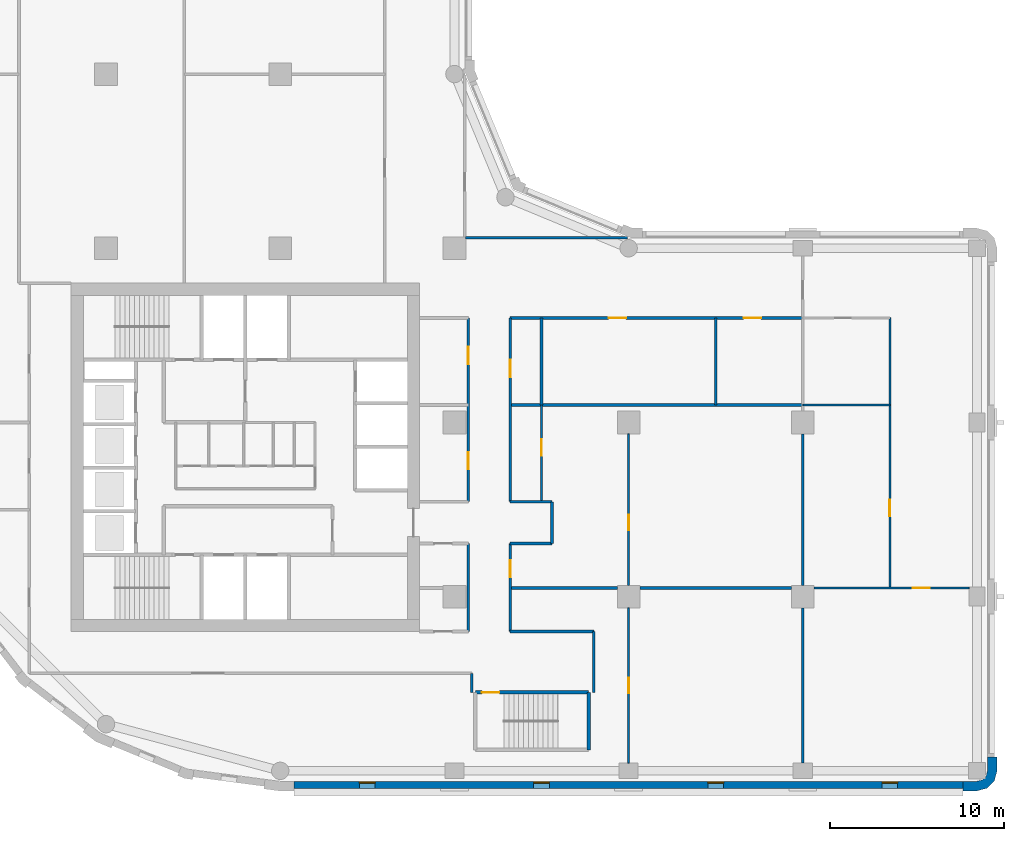
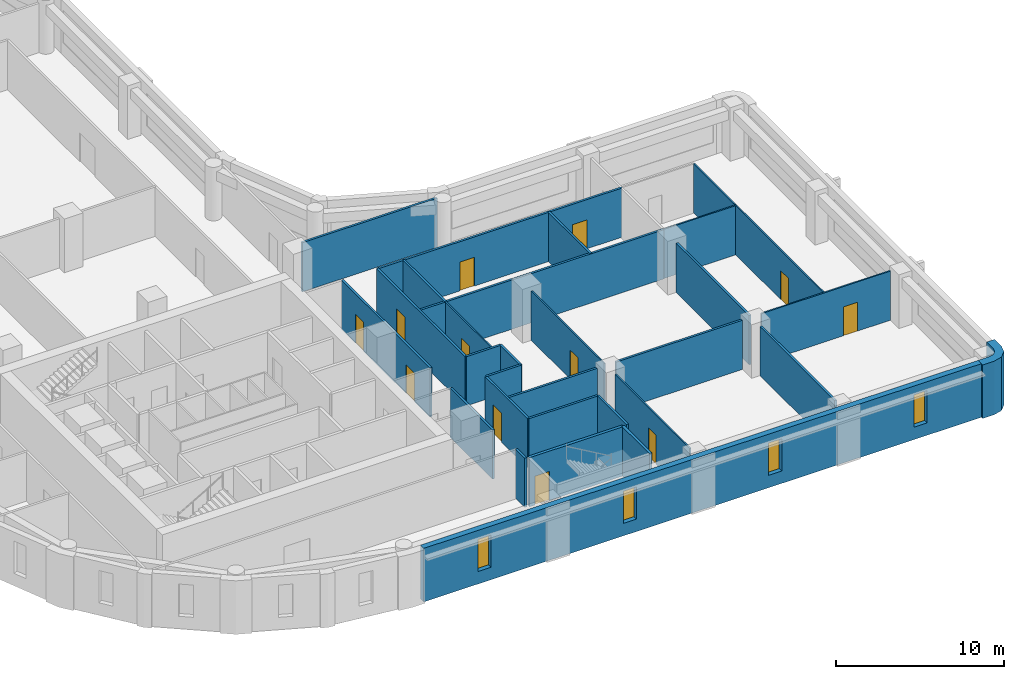
# One storey, part 4 of 10: 29 walls, 12 doors, 4 windows, 16 openings.
"""IFC4 building model written with IfcOpenShell, lengths in metres."""

from ifc_helpers import new_model, si_unit, direction, frame, frame_2d, origin, place, context, subcontext, project, spatial, polyline, rectangle, outline, extrude, material, layer, layer_set, type_object, element, fill, save


model = new_model("IFC4")

# Units and contexts
model_context = context("Model", 3, precision=1e-05, world=origin(), true_north=direction((0.0, 1.0)))
body_context = subcontext(model_context, "Body", "Model", "MODEL_VIEW")
ifc_project = project(units=[si_unit("LENGTHUNIT", "METRE"), si_unit("AREAUNIT", "SQUARE_METRE"), si_unit("VOLUMEUNIT", "CUBIC_METRE"), si_unit("PLANEANGLEUNIT", "RADIAN"), si_unit("MASSUNIT", "GRAM", prefix="KILO")], contexts=[model_context])

# Site, building, storey
site_placement = place(None, origin())
site = spatial("IfcSite", under=ifc_project, at=site_placement, CompositionType="ELEMENT")
building_placement = place(site_placement, origin())
building = spatial("IfcBuilding", under=site, at=building_placement, Name="Qaws Garden Tower", CompositionType="ELEMENT")
storey_placement = place(building_placement, frame((0.0, 0.0, 182.39990234375)))
storey = spatial("IfcBuildingStorey", under=building, at=storey_placement, Name="L44", CompositionType="ELEMENT", Elevation=182.39990234375)

# Wall
ifc_material_1 = material(Name="Clay facing brick masonry", Category="masonry")
ifc_layer_1 = layer(ifc_material_1, 0.550048828125)
ifc_layer_set_1 = layer_set([ifc_layer_1], Name="Clay facing brick masonry")
wall_type_1 = type_object("IfcWallType", Name="Brick corner pier 550 x 2400", PredefinedType="SOLIDWALL", material=ifc_layer_set_1)
wall_1_placement = place(storey_placement, origin())
element("IfcWall", 1, at=wall_1_placement, inside=storey, type_object=wall_type_1, Name="E-L44-pier-04", PredefinedType="SOLIDWALL", context=body_context, shape_type="SweptSolid", body=[
    extrude(outline(polyline([(59.199951171875, -1.0), (59.199951171875, -1.14990234375), (60.0, -1.14990234375), (60.574951171875, -0.995849609375), (60.995849609375, -0.574951171875), (61.14990234375, 0.0), (61.14990234375, 0.800048828125), (61.0, 0.800048828125), (60.60009765625, 0.800048828125), (60.60009765625, 0.0), (60.51953125, -0.300048828125), (60.300048828125, -0.51953125), (60.0, -0.60009765625), (59.199951171875, -0.60009765625), (59.199951171875, -1.0)])), origin(), (0.0, 0.0, 1.0), 3.900146484375),
])

# Wall, openings, windows
ifc_material_2 = material(Name="Clay facing brick masonry", Category="masonry")
ifc_layer_2 = layer(ifc_material_2, 0.39990234375)
ifc_layer_set_2 = layer_set([ifc_layer_2], Name="Clay facing brick masonry")
wall_type_2 = type_object("IfcWallType", Name="Brick infill wall 400", PredefinedType="SOLIDWALL", material=ifc_layer_set_2)
wall_2_placement = place(storey_placement, frame((20.800048828125, -0.800048828125, 0.0), z_axis=(0.0, 0.0, 1.0), x_axis=(1.0, 0.0, 0.0)))
wall_2 = element("IfcWall", 2, at=wall_2_placement, inside=storey, type_object=wall_type_2, Name="E-L44-infill-00", PredefinedType="SOLIDWALL", context=body_context, shape_type="SweptSolid", body=[
    extrude(rectangle(XDim=38.39990234375, YDim=0.39990234375, at=frame_2d((19.199951171875, 0.0))), origin(), (0.0, 0.0, 1.0), 3.900146484375),
])
opening_1_placement = place(wall_2_placement, frame((3.75, 0.0, 0.89990234375)))
opening_1 = element("IfcOpeningElement", 3, at=opening_1_placement, cuts=wall_2, Name="Opening W09", PredefinedType="OPENING", context=body_context, shape_type="SweptSolid", body=[
    extrude(rectangle(XDim=0.89990234375, YDim=2.35009765625, at=frame_2d((0.449951171875, 1.175048828125))), frame((0.0, 0.2099609375, 0.0), z_axis=(0.0, -1.0, 0.0), x_axis=(1.0, 0.0, 0.0)), (0.0, 0.0, 1.0), 0.419921875),
])
opening_2_placement = place(wall_2_placement, frame((13.75, 0.0, 0.89990234375)))
opening_2 = element("IfcOpeningElement", 4, at=opening_2_placement, cuts=wall_2, Name="Opening W09", PredefinedType="OPENING", context=body_context, shape_type="SweptSolid", body=[
    extrude(rectangle(XDim=0.89990234375, YDim=2.35009765625, at=frame_2d((0.449951171875, 1.175048828125))), frame((0.0, 0.2099609375, 0.0), z_axis=(0.0, -1.0, 0.0), x_axis=(1.0, 0.0, 0.0)), (0.0, 0.0, 1.0), 0.419921875),
])
opening_3_placement = place(wall_2_placement, frame((23.75, 0.0, 0.89990234375)))
opening_3 = element("IfcOpeningElement", 5, at=opening_3_placement, cuts=wall_2, Name="Opening W09", PredefinedType="OPENING", context=body_context, shape_type="SweptSolid", body=[
    extrude(rectangle(XDim=0.89990234375, YDim=2.35009765625, at=frame_2d((0.449951171875, 1.175048828125))), frame((0.0, 0.2099609375, 0.0), z_axis=(0.0, -1.0, 0.0), x_axis=(1.0, 0.0, 0.0)), (0.0, 0.0, 1.0), 0.419921875),
])
opening_4_placement = place(wall_2_placement, frame((33.75, 0.0, 0.89990234375)))
opening_4 = element("IfcOpeningElement", 6, at=opening_4_placement, cuts=wall_2, Name="Opening W09", PredefinedType="OPENING", context=body_context, shape_type="SweptSolid", body=[
    extrude(rectangle(XDim=0.89990234375, YDim=2.35009765625, at=frame_2d((0.449951171875, 1.175048828125))), frame((0.0, 0.2099609375, 0.0), z_axis=(0.0, -1.0, 0.0), x_axis=(1.0, 0.0, 0.0)), (0.0, 0.0, 1.0), 0.419921875),
])
ifc_material_3 = material(Name="Aluminium framed window, clear glazing", Category="aluminium")
window_type = type_object("IfcWindowType", Name="Slit window 900 x 2350", PartitioningType="SINGLE_PANEL", PredefinedType="WINDOW", material=ifc_material_3)
window_1_placement = place(opening_1_placement, origin())
window_1 = element("IfcWindow", 7, at=window_1_placement, inside=storey, type_object=window_type, Name="E-L44-window-00-0", OverallHeight=2.35009765625, OverallWidth=0.89990234375, PartitioningType="SINGLE_PANEL", PredefinedType="WINDOW", context=body_context, shape_type="SweptSolid", body=[
    extrude(rectangle(XDim=0.89990234375, YDim=2.35009765625, at=frame_2d((0.449951171875, 1.175048828125))), frame((0.0, 0.159912109375, 0.0), z_axis=(0.0, -1.0, 0.0), x_axis=(1.0, 0.0, 0.0)), (0.0, 0.0, 1.0), 0.06005859375),
])
fill(opening_1, window_1)
window_2_placement = place(opening_2_placement, origin())
window_2 = element("IfcWindow", 8, at=window_2_placement, inside=storey, type_object=window_type, Name="E-L44-window-01-0", OverallHeight=2.35009765625, OverallWidth=0.89990234375, PartitioningType="SINGLE_PANEL", PredefinedType="WINDOW", context=body_context, shape_type="SweptSolid", body=[
    extrude(rectangle(XDim=0.89990234375, YDim=2.35009765625, at=frame_2d((0.449951171875, 1.175048828125))), frame((0.0, 0.159912109375, 0.0), z_axis=(0.0, -1.0, 0.0), x_axis=(1.0, 0.0, 0.0)), (0.0, 0.0, 1.0), 0.06005859375),
])
fill(opening_2, window_2)
window_3_placement = place(opening_3_placement, origin())
window_3 = element("IfcWindow", 9, at=window_3_placement, inside=storey, type_object=window_type, Name="E-L44-window-02-0", OverallHeight=2.35009765625, OverallWidth=0.89990234375, PartitioningType="SINGLE_PANEL", PredefinedType="WINDOW", context=body_context, shape_type="SweptSolid", body=[
    extrude(rectangle(XDim=0.89990234375, YDim=2.35009765625, at=frame_2d((0.449951171875, 1.175048828125))), frame((0.0, 0.159912109375, 0.0), z_axis=(0.0, -1.0, 0.0), x_axis=(1.0, 0.0, 0.0)), (0.0, 0.0, 1.0), 0.06005859375),
])
fill(opening_3, window_3)
window_4_placement = place(opening_4_placement, origin())
window_4 = element("IfcWindow", 10, at=window_4_placement, inside=storey, type_object=window_type, Name="E-L44-window-03-0", OverallHeight=2.35009765625, OverallWidth=0.89990234375, PartitioningType="SINGLE_PANEL", PredefinedType="WINDOW", context=body_context, shape_type="SweptSolid", body=[
    extrude(rectangle(XDim=0.89990234375, YDim=2.35009765625, at=frame_2d((0.449951171875, 1.175048828125))), frame((0.0, 0.159912109375, 0.0), z_axis=(0.0, -1.0, 0.0), x_axis=(1.0, 0.0, 0.0)), (0.0, 0.0, 1.0), 0.06005859375),
])
fill(opening_4, window_4)

# Wall, opening, door
ifc_material_4 = material(Name="Concrete C70", Category="concrete")
ifc_layer_3 = layer(ifc_material_4, 0.199951171875)
ifc_layer_set_3 = layer_set([ifc_layer_3], Name="Concrete C70")
wall_type_3 = type_object("IfcWallType", Name="Core shaft wall 200 C70", PredefinedType="SHEAR", material=ifc_layer_set_3)
wall_3_placement = place(storey_placement, frame((31.199951171875, 4.5, 0.0), z_axis=(0.0, 0.0, 1.0), x_axis=(1.0, 0.0, 0.0)))
wall_3 = element("IfcWall", 11, at=wall_3_placement, inside=storey, type_object=wall_type_3, Name="Shaft wall", PredefinedType="SHEAR", context=body_context, shape_type="SweptSolid", body=[
    extrude(rectangle(XDim=6.5, YDim=0.199951171875, at=frame_2d((3.25, 0.0))), origin(), (0.0, 0.0, 1.0), 3.580078125),
])
opening_5_placement = place(wall_3_placement, frame((0.375, 0.0, 0.0)))
opening_5 = element("IfcOpeningElement", 12, at=opening_5_placement, cuts=wall_3, Name="Opening SD12", PredefinedType="OPENING", context=body_context, shape_type="SweptSolid", body=[
    extrude(rectangle(XDim=1.0, YDim=2.10009765625, at=frame_2d((0.5, 1.050048828125))), frame((0.0, 0.10986328125, 0.0), z_axis=(0.0, -1.0, 0.0), x_axis=(1.0, 0.0, 0.0)), (0.0, 0.0, 1.0), 0.219970703125),
])
ifc_material_5 = material(Name="Steel S235", Category="steel")
door_type_1 = type_object("IfcDoorType", Name="Stair door 1000x2100", OperationType="SINGLE_SWING_RIGHT", PredefinedType="DOOR", material=ifc_material_5)
door_1_placement = place(opening_5_placement, frame((1.0, 0.0, 0.0), z_axis=(0.0, 0.0, 1.0), x_axis=(-1.0, 0.0, 0.0)))
door_1 = element("IfcDoor", 13, at=door_1_placement, inside=storey, type_object=door_type_1, Name="Stair 5 door", OperationType="SINGLE_SWING_RIGHT", OverallHeight=2.10009765625, OverallWidth=1.0, PredefinedType="DOOR", context=body_context, shape_type="SweptSolid", body=[
    extrude(rectangle(XDim=1.0, YDim=2.10009765625, at=frame_2d((0.5, 1.050048828125))), frame((0.0, 0.02490234375, 0.0), z_axis=(0.0, -1.0, 0.0), x_axis=(1.0, 0.0, 0.0)), (0.0, 0.0, 1.0), 0.050048828125),
])
fill(opening_5, door_1)

# Wall
wall_4_placement = place(storey_placement, frame((37.699951171875, 1.199951171875, 0.0), z_axis=(0.0, 0.0, 1.0), x_axis=(0.0, 1.0, 0.0)))
element("IfcWall", 14, at=wall_4_placement, inside=storey, type_object=wall_type_3, Name="Shaft wall", PredefinedType="SHEAR", context=body_context, shape_type="SweptSolid", body=[
    extrude(rectangle(XDim=3.300048828125, YDim=0.199951171875, at=frame_2d((1.64990234375, 0.0))), origin(), (0.0, 0.0, 1.0), 3.580078125),
])

# Wall, opening, door
ifc_material_6 = material(Name="Gypsum board partition")
ifc_layer_4 = layer(ifc_material_6, 0.10009765625)
ifc_layer_set_4 = layer_set([ifc_layer_4], Name="Gypsum board partition")
wall_type_4 = type_object("IfcWallType", Name="PARTITION 100", PredefinedType="PARTITIONING", material=ifc_layer_set_4)
wall_5_placement = place(storey_placement, frame((35.0, 15.450927734375, 0.0), z_axis=(0.0, 0.0, 1.0), x_axis=(0.0, 1.0, 0.0)))
wall_5 = element("IfcWall", 15, at=wall_5_placement, inside=storey, type_object=wall_type_4, Name="O-L44-wall-001", PredefinedType="PARTITIONING", context=body_context, shape_type="SweptSolid", body=[
    extrude(rectangle(XDim=5.548095703125, YDim=0.10009765625, at=frame_2d((2.77392578125, 0.0))), origin(), (0.0, 0.0, 1.0), 3.580078125),
])
opening_6_placement = place(wall_5_placement, frame((2.625, 0.0, 0.0)))
opening_6 = element("IfcOpeningElement", 16, at=opening_6_placement, cuts=wall_5, Name="Opening B525", PredefinedType="OPENING", context=body_context, shape_type="SweptSolid", body=[
    extrude(rectangle(XDim=0.949951171875, YDim=2.10009765625, at=frame_2d((0.47509765625, 1.050048828125))), frame((0.0, 0.06005859375, 0.0), z_axis=(0.0, -1.0, 0.0), x_axis=(1.0, 0.0, 0.0)), (0.0, 0.0, 1.0), 0.1201171875),
])
ifc_material_7 = material(Name="Timber and glass door leaf", Category="wood")
door_type_2 = type_object("IfcDoorType", Name="GLAZED DOOR 950 X 2100", OperationType="SINGLE_SWING_LEFT", PredefinedType="DOOR", material=ifc_material_7)
door_2_placement = place(opening_6_placement, origin())
door_2 = element("IfcDoor", 17, at=door_2_placement, inside=storey, type_object=door_type_2, Name="O-L44-door-025", OperationType="SINGLE_SWING_RIGHT", OverallHeight=2.10009765625, OverallWidth=0.949951171875, PredefinedType="DOOR", context=body_context, shape_type="SweptSolid", body=[
    extrude(rectangle(XDim=0.949951171875, YDim=2.10009765625, at=frame_2d((0.47509765625, 1.050048828125))), frame((0.0, 0.02490234375, 0.0), z_axis=(0.0, -1.0, 0.0), x_axis=(1.0, 0.0, 0.0)), (0.0, 0.0, 1.0), 0.050048828125),
])
fill(opening_6, door_2)

wall_6_placement = place(storey_placement, frame((40.0, 0.449951171875, 0.0), z_axis=(0.0, 0.0, 1.0), x_axis=(0.0, 1.0, 0.0)))
wall_6 = element("IfcWall", 18, at=wall_6_placement, inside=storey, type_object=wall_type_4, Name="O-L44-wall-002", PredefinedType="PARTITIONING", context=body_context, shape_type="SweptSolid", body=[
    extrude(rectangle(XDim=8.900146484375, YDim=0.10009765625, at=frame_2d((4.4501953125, 0.0))), origin(), (0.0, 0.0, 1.0), 3.580078125),
])
opening_7_placement = place(wall_6_placement, frame((4.0, 0.0, 0.0)))
opening_7 = element("IfcOpeningElement", 19, at=opening_7_placement, cuts=wall_6, Name="Opening B522", PredefinedType="OPENING", context=body_context, shape_type="SweptSolid", body=[
    extrude(rectangle(XDim=0.89990234375, YDim=2.10009765625, at=frame_2d((0.449951171875, 1.050048828125))), frame((0.0, 0.06005859375, 0.0), z_axis=(0.0, -1.0, 0.0), x_axis=(1.0, 0.0, 0.0)), (0.0, 0.0, 1.0), 0.1201171875),
])
ifc_material_8 = material(Name="Timber door leaf", Category="wood")
door_type_3 = type_object("IfcDoorType", Name="OFFICE DOOR 900 X 2100", OperationType="SINGLE_SWING_LEFT", PredefinedType="DOOR", material=ifc_material_8)
door_3_placement = place(opening_7_placement, frame((0.89990234375, 0.0, 0.0), z_axis=(0.0, 0.0, 1.0), x_axis=(-1.0, 0.0, 0.0)))
door_3 = element("IfcDoor", 20, at=door_3_placement, inside=storey, type_object=door_type_3, Name="O-L44-door-022", OperationType="SINGLE_SWING_LEFT", OverallHeight=2.10009765625, OverallWidth=0.89990234375, PredefinedType="DOOR", context=body_context, shape_type="SweptSolid", body=[
    extrude(rectangle(XDim=0.89990234375, YDim=2.10009765625, at=frame_2d((0.449951171875, 1.050048828125))), frame((0.0, 0.02490234375, 0.0), z_axis=(0.0, -1.0, 0.0), x_axis=(1.0, 0.0, 0.0)), (0.0, 0.0, 1.0), 0.050048828125),
])
fill(opening_7, door_3)

wall_7_placement = place(storey_placement, frame((40.0, 10.64990234375, 0.0), z_axis=(0.0, 0.0, 1.0), x_axis=(0.0, 1.0, 0.0)))
wall_7 = element("IfcWall", 21, at=wall_7_placement, inside=storey, type_object=wall_type_4, Name="O-L44-wall-003", PredefinedType="PARTITIONING", context=body_context, shape_type="SweptSolid", body=[
    extrude(rectangle(XDim=8.7001953125, YDim=0.10009765625, at=frame_2d((4.35009765625, 0.0))), origin(), (0.0, 0.0, 1.0), 3.580078125),
])
opening_8_placement = place(wall_7_placement, frame((3.14990234375, 0.0, 0.0)))
opening_8 = element("IfcOpeningElement", 22, at=opening_8_placement, cuts=wall_7, Name="Opening B520", PredefinedType="OPENING", context=body_context, shape_type="SweptSolid", body=[
    extrude(rectangle(XDim=0.89990234375, YDim=2.10009765625, at=frame_2d((0.449951171875, 1.050048828125))), frame((0.0, 0.06005859375, 0.0), z_axis=(0.0, -1.0, 0.0), x_axis=(1.0, 0.0, 0.0)), (0.0, 0.0, 1.0), 0.1201171875),
])
door_4_placement = place(opening_8_placement, origin())
door_4 = element("IfcDoor", 23, at=door_4_placement, inside=storey, type_object=door_type_3, Name="O-L44-door-020", OperationType="SINGLE_SWING_RIGHT", OverallHeight=2.10009765625, OverallWidth=0.89990234375, PredefinedType="DOOR", context=body_context, shape_type="SweptSolid", body=[
    extrude(rectangle(XDim=0.89990234375, YDim=2.10009765625, at=frame_2d((0.449951171875, 1.050048828125))), frame((0.0, 0.02490234375, 0.0), z_axis=(0.0, -1.0, 0.0), x_axis=(1.0, 0.0, 0.0)), (0.0, 0.0, 1.0), 0.050048828125),
])
fill(opening_8, door_4)

wall_8_placement = place(storey_placement, frame((55.0, 10.5, 0.0), z_axis=(0.0, 0.0, 1.0), x_axis=(0.0, 1.0, 0.0)))
wall_8 = element("IfcWall", 24, at=wall_8_placement, inside=storey, type_object=wall_type_4, Name="O-L44-wall-004", PredefinedType="PARTITIONING", context=body_context, shape_type="SweptSolid", body=[
    extrude(rectangle(XDim=15.5, YDim=0.10009765625, at=frame_2d((7.75, 0.0))), origin(), (0.0, 0.0, 1.0), 3.580078125),
])
opening_9_placement = place(wall_8_placement, frame((4.125, 0.0, 0.0)))
opening_9 = element("IfcOpeningElement", 25, at=opening_9_placement, cuts=wall_8, Name="Opening B521", PredefinedType="OPENING", context=body_context, shape_type="SweptSolid", body=[
    extrude(rectangle(XDim=0.949951171875, YDim=2.10009765625, at=frame_2d((0.47509765625, 1.050048828125))), frame((0.0, 0.06005859375, 0.0), z_axis=(0.0, -1.0, 0.0), x_axis=(1.0, 0.0, 0.0)), (0.0, 0.0, 1.0), 0.1201171875),
])
door_5_placement = place(opening_9_placement, origin())
door_5 = element("IfcDoor", 26, at=door_5_placement, inside=storey, type_object=door_type_2, Name="O-L44-door-021", OperationType="SINGLE_SWING_RIGHT", OverallHeight=2.10009765625, OverallWidth=0.949951171875, PredefinedType="DOOR", context=body_context, shape_type="SweptSolid", body=[
    extrude(rectangle(XDim=0.949951171875, YDim=2.10009765625, at=frame_2d((0.47509765625, 1.050048828125))), frame((0.0, 0.02490234375, 0.0), z_axis=(0.0, -1.0, 0.0), x_axis=(1.0, 0.0, 0.0)), (0.0, 0.0, 1.0), 0.050048828125),
])
fill(opening_9, door_5)

wall_9_placement = place(storey_placement, frame((50.64990234375, 10.5, 0.0), z_axis=(0.0, 0.0, 1.0), x_axis=(1.0, 0.0, 0.0)))
wall_9 = element("IfcWall", 27, at=wall_9_placement, inside=storey, type_object=wall_type_4, Name="O-L44-wall-005", PredefinedType="PARTITIONING", context=body_context, shape_type="SweptSolid", body=[
    extrude(rectangle(XDim=8.900146484375, YDim=0.10009765625, at=frame_2d((4.4501953125, 0.0))), origin(), (0.0, 0.0, 1.0), 3.580078125),
])
opening_10_placement = place(wall_9_placement, frame((5.675048828125, 0.0, 0.0)))
opening_10 = element("IfcOpeningElement", 28, at=opening_10_placement, cuts=wall_9, Name="Opening B523", PredefinedType="OPENING", context=body_context, shape_type="SweptSolid", body=[
    extrude(rectangle(XDim=0.949951171875, YDim=2.10009765625, at=frame_2d((0.47509765625, 1.050048828125))), frame((0.0, 0.06005859375, 0.0), z_axis=(0.0, -1.0, 0.0), x_axis=(1.0, 0.0, 0.0)), (0.0, 0.0, 1.0), 0.1201171875),
])
door_6_placement = place(opening_10_placement, frame((0.949951171875, 0.0, 0.0), z_axis=(0.0, 0.0, 1.0), x_axis=(-1.0, 0.0, 0.0)))
door_6 = element("IfcDoor", 29, at=door_6_placement, inside=storey, type_object=door_type_2, Name="O-L44-door-023", OperationType="SINGLE_SWING_RIGHT", OverallHeight=2.10009765625, OverallWidth=0.949951171875, PredefinedType="DOOR", context=body_context, shape_type="SweptSolid", body=[
    extrude(rectangle(XDim=0.949951171875, YDim=2.10009765625, at=frame_2d((0.47509765625, 1.050048828125))), frame((0.0, 0.02490234375, 0.0), z_axis=(0.0, -1.0, 0.0), x_axis=(1.0, 0.0, 0.0)), (0.0, 0.0, 1.0), 0.050048828125),
])
fill(opening_10, door_6)

# Walls
wall_10_placement = place(storey_placement, frame((50.0, 21.0, 0.0), z_axis=(0.0, 0.0, 1.0), x_axis=(1.0, 0.0, 0.0)))
element("IfcWall", 30, at=wall_10_placement, inside=storey, type_object=wall_type_4, Name="O-L44-wall-006", PredefinedType="PARTITIONING", context=body_context, shape_type="SweptSolid", body=[
    extrude(rectangle(XDim=5.0, YDim=0.10009765625, at=frame_2d((2.5, 0.0))), origin(), (0.0, 0.0, 1.0), 3.580078125),
])
ifc_material_9 = material(Name="Gypsum board partition")
ifc_layer_5 = layer(ifc_material_9, 0.14990234375)
ifc_layer_set_5 = layer_set([ifc_layer_5], Name="Gypsum board partition")
wall_type_5 = type_object("IfcWallType", Name="PARTITION 150 EI 60", PredefinedType="PARTITIONING", material=ifc_layer_set_5)
wall_11_placement = place(storey_placement, frame((30.800048828125, 8.0, 0.0), z_axis=(0.0, 0.0, 1.0), x_axis=(0.0, 1.0, 0.0)))
element("IfcWall", 31, at=wall_11_placement, inside=storey, type_object=wall_type_5, Name="O-L44-wall-016", PredefinedType="PARTITIONING", context=body_context, shape_type="SweptSolid", body=[
    extrude(rectangle(XDim=5.050048828125, YDim=0.14990234375, at=frame_2d((2.52490234375, 0.0))), origin(), (0.0, 0.0, 1.0), 3.580078125),
])

# Wall, openings, doors
wall_12_placement = place(storey_placement, frame((30.800048828125, 15.449951171875, 0.0), z_axis=(0.0, 0.0, 1.0), x_axis=(0.0, 1.0, 0.0)))
wall_12 = element("IfcWall", 32, at=wall_12_placement, inside=storey, type_object=wall_type_5, Name="O-L44-wall-017", PredefinedType="PARTITIONING", context=body_context, shape_type="SweptSolid", body=[
    extrude(rectangle(XDim=10.550048828125, YDim=0.14990234375, at=frame_2d((5.27490234375, 0.0))), origin(), (0.0, 0.0, 1.0), 3.580078125),
])
opening_11_placement = place(wall_12_placement, frame((1.85009765625, 0.0, 0.0)))
opening_11 = element("IfcOpeningElement", 33, at=opening_11_placement, cuts=wall_12, Name="Opening B503", PredefinedType="OPENING", context=body_context, shape_type="SweptSolid", body=[
    extrude(rectangle(XDim=1.0, YDim=2.10009765625, at=frame_2d((0.5, 1.050048828125))), frame((0.0, 0.0849609375, 0.0), z_axis=(0.0, -1.0, 0.0), x_axis=(1.0, 0.0, 0.0)), (0.0, 0.0, 1.0), 0.169921875),
])
opening_12_placement = place(wall_12_placement, frame((7.89990234375, 0.0, 0.0)))
opening_12 = element("IfcOpeningElement", 34, at=opening_12_placement, cuts=wall_12, Name="Opening B515", PredefinedType="OPENING", context=body_context, shape_type="SweptSolid", body=[
    extrude(rectangle(XDim=1.0, YDim=2.10009765625, at=frame_2d((0.5, 1.050048828125))), frame((0.0, 0.0849609375, 0.0), z_axis=(0.0, -1.0, 0.0), x_axis=(1.0, 0.0, 0.0)), (0.0, 0.0, 1.0), 0.169921875),
])
ifc_material_10 = material(Name="Timber door leaf", Category="wood")
door_type_4 = type_object("IfcDoorType", Name="TENANCY ENTRANCE DOOR 1000 X 2100", OperationType="SINGLE_SWING_LEFT", PredefinedType="DOOR", material=ifc_material_10)
door_7_placement = place(opening_11_placement, origin())
door_7 = element("IfcDoor", 35, at=door_7_placement, inside=storey, type_object=door_type_4, Name="O-L44-door-003", OperationType="SINGLE_SWING_RIGHT", OverallHeight=2.10009765625, OverallWidth=1.0, PredefinedType="DOOR", context=body_context, shape_type="SweptSolid", body=[
    extrude(rectangle(XDim=1.0, YDim=2.10009765625, at=frame_2d((0.5, 1.050048828125))), frame((0.0, 0.02490234375, 0.0), z_axis=(0.0, -1.0, 0.0), x_axis=(1.0, 0.0, 0.0)), (0.0, 0.0, 1.0), 0.050048828125),
])
fill(opening_11, door_7)
door_8_placement = place(opening_12_placement, origin())
door_8 = element("IfcDoor", 36, at=door_8_placement, inside=storey, type_object=door_type_4, Name="O-L44-door-015", OperationType="SINGLE_SWING_RIGHT", OverallHeight=2.10009765625, OverallWidth=1.0, PredefinedType="DOOR", context=body_context, shape_type="SweptSolid", body=[
    extrude(rectangle(XDim=1.0, YDim=2.10009765625, at=frame_2d((0.5, 1.050048828125))), frame((0.0, 0.02490234375, 0.0), z_axis=(0.0, -1.0, 0.0), x_axis=(1.0, 0.0, 0.0)), (0.0, 0.0, 1.0), 0.050048828125),
])
fill(opening_12, door_8)

# Wall
wall_13_placement = place(storey_placement, frame((31.0, 4.5, 0.0), z_axis=(0.0, 0.0, 1.0), x_axis=(0.0, 1.0, 0.0)))
element("IfcWall", 37, at=wall_13_placement, inside=storey, type_object=wall_type_5, Name="O-L44-wall-018", PredefinedType="PARTITIONING", context=body_context, shape_type="SweptSolid", body=[
    extrude(rectangle(XDim=1.10009765625, YDim=0.14990234375, at=frame_2d((0.550048828125, 0.0))), origin(), (0.0, 0.0, 1.0), 3.580078125),
])

# Wall, opening, door
wall_14_placement = place(storey_placement, frame((33.199951171875, 8.0, 0.0), z_axis=(0.0, 0.0, 1.0), x_axis=(0.0, 1.0, 0.0)))
wall_14 = element("IfcWall", 38, at=wall_14_placement, inside=storey, type_object=wall_type_5, Name="O-L44-wall-019", PredefinedType="PARTITIONING", context=body_context, shape_type="SweptSolid", body=[
    extrude(rectangle(XDim=5.049072265625, YDim=0.14990234375, at=frame_2d((2.5244140625, 0.0))), origin(), (0.0, 0.0, 1.0), 3.580078125),
])
opening_13_placement = place(wall_14_placement, frame((3.10009765625, 0.0, 0.0)))
opening_13 = element("IfcOpeningElement", 39, at=opening_13_placement, cuts=wall_14, Name="Opening B504", PredefinedType="OPENING", context=body_context, shape_type="SweptSolid", body=[
    extrude(rectangle(XDim=1.0, YDim=2.10009765625, at=frame_2d((0.5, 1.050048828125))), frame((0.0, 0.0849609375, 0.0), z_axis=(0.0, -1.0, 0.0), x_axis=(1.0, 0.0, 0.0)), (0.0, 0.0, 1.0), 0.169921875),
])
door_9_placement = place(opening_13_placement, frame((1.0, 0.0, 0.0), z_axis=(0.0, 0.0, 1.0), x_axis=(-1.0, 0.0, 0.0)))
door_9 = element("IfcDoor", 40, at=door_9_placement, inside=storey, type_object=door_type_4, Name="O-L44-door-004", OperationType="SINGLE_SWING_RIGHT", OverallHeight=2.10009765625, OverallWidth=1.0, PredefinedType="DOOR", context=body_context, shape_type="SweptSolid", body=[
    extrude(rectangle(XDim=1.0, YDim=2.10009765625, at=frame_2d((0.5, 1.050048828125))), frame((0.0, 0.02490234375, 0.0), z_axis=(0.0, -1.0, 0.0), x_axis=(1.0, 0.0, 0.0)), (0.0, 0.0, 1.0), 0.050048828125),
])
fill(opening_13, door_9)

wall_15_placement = place(storey_placement, frame((33.199951171875, 15.449951171875, 0.0), z_axis=(0.0, 0.0, 1.0), x_axis=(0.0, 1.0, 0.0)))
wall_15 = element("IfcWall", 41, at=wall_15_placement, inside=storey, type_object=wall_type_5, Name="O-L44-wall-020", PredefinedType="PARTITIONING", context=body_context, shape_type="SweptSolid", body=[
    extrude(rectangle(XDim=10.550048828125, YDim=0.14990234375, at=frame_2d((5.27490234375, 0.0))), origin(), (0.0, 0.0, 1.0), 3.580078125),
])
opening_14_placement = place(wall_15_placement, frame((7.14990234375, 0.0, 0.0)))
opening_14 = element("IfcOpeningElement", 42, at=opening_14_placement, cuts=wall_15, Name="Opening B516", PredefinedType="OPENING", context=body_context, shape_type="SweptSolid", body=[
    extrude(rectangle(XDim=1.0, YDim=2.10009765625, at=frame_2d((0.5, 1.050048828125))), frame((0.0, 0.0849609375, 0.0), z_axis=(0.0, -1.0, 0.0), x_axis=(1.0, 0.0, 0.0)), (0.0, 0.0, 1.0), 0.169921875),
])
door_10_placement = place(opening_14_placement, frame((1.0, 0.0, 0.0), z_axis=(0.0, 0.0, 1.0), x_axis=(-1.0, 0.0, 0.0)))
door_10 = element("IfcDoor", 43, at=door_10_placement, inside=storey, type_object=door_type_4, Name="O-L44-door-016", OperationType="SINGLE_SWING_LEFT", OverallHeight=2.10009765625, OverallWidth=1.0, PredefinedType="DOOR", context=body_context, shape_type="SweptSolid", body=[
    extrude(rectangle(XDim=1.0, YDim=2.10009765625, at=frame_2d((0.5, 1.050048828125))), frame((0.0, 0.02490234375, 0.0), z_axis=(0.0, -1.0, 0.0), x_axis=(1.0, 0.0, 0.0)), (0.0, 0.0, 1.0), 0.050048828125),
])
fill(opening_14, door_10)

# Walls
wall_16_placement = place(storey_placement, frame((35.0, 21.0, 0.0), z_axis=(0.0, 0.0, 1.0), x_axis=(0.0, 1.0, 0.0)))
element("IfcWall", 44, at=wall_16_placement, inside=storey, type_object=wall_type_5, Name="O-L44-wall-021", PredefinedType="PARTITIONING", context=body_context, shape_type="SweptSolid", body=[
    extrude(rectangle(XDim=5.0, YDim=0.14990234375, at=frame_2d((2.5, 0.0))), origin(), (0.0, 0.0, 1.0), 3.580078125),
])
wall_17_placement = place(storey_placement, frame((35.60009765625, 13.052001953125, 0.0), z_axis=(0.0, 0.0, 1.0), x_axis=(0.0, 1.0, 0.0)))
element("IfcWall", 45, at=wall_17_placement, inside=storey, type_object=wall_type_5, Name="O-L44-wall-022", PredefinedType="PARTITIONING", context=body_context, shape_type="SweptSolid", body=[
    extrude(rectangle(XDim=2.39599609375, YDim=0.14990234375, at=frame_2d((1.197998046875, 0.0))), origin(), (0.0, 0.0, 1.0), 3.580078125),
])
wall_18_placement = place(storey_placement, frame((38.0, 4.5, 0.0), z_axis=(0.0, 0.0, 1.0), x_axis=(0.0, 1.0, 0.0)))
element("IfcWall", 46, at=wall_18_placement, inside=storey, type_object=wall_type_5, Name="O-L44-wall-023", PredefinedType="PARTITIONING", context=body_context, shape_type="SweptSolid", body=[
    extrude(rectangle(XDim=3.5, YDim=0.14990234375, at=frame_2d((1.75, 0.0))), origin(), (0.0, 0.0, 1.0), 3.580078125),
])
wall_19_placement = place(storey_placement, frame((45.0, 21.0, 0.0), z_axis=(0.0, 0.0, 1.0), x_axis=(0.0, 1.0, 0.0)))
element("IfcWall", 47, at=wall_19_placement, inside=storey, type_object=wall_type_5, Name="O-L44-wall-024", PredefinedType="PARTITIONING", context=body_context, shape_type="SweptSolid", body=[
    extrude(rectangle(XDim=5.0, YDim=0.14990234375, at=frame_2d((2.5, 0.0))), origin(), (0.0, 0.0, 1.0), 3.580078125),
])
wall_20_placement = place(storey_placement, frame((50.0, 0.449951171875, 0.0), z_axis=(0.0, 0.0, 1.0), x_axis=(0.0, 1.0, 0.0)))
element("IfcWall", 48, at=wall_20_placement, inside=storey, type_object=wall_type_5, Name="O-L44-wall-025", PredefinedType="PARTITIONING", context=body_context, shape_type="SweptSolid", body=[
    extrude(rectangle(XDim=8.900146484375, YDim=0.14990234375, at=frame_2d((4.4501953125, 0.0))), origin(), (0.0, 0.0, 1.0), 3.580078125),
])
wall_21_placement = place(storey_placement, frame((50.0, 10.64990234375, 0.0), z_axis=(0.0, 0.0, 1.0), x_axis=(0.0, 1.0, 0.0)))
element("IfcWall", 49, at=wall_21_placement, inside=storey, type_object=wall_type_5, Name="O-L44-wall-026", PredefinedType="PARTITIONING", context=body_context, shape_type="SweptSolid", body=[
    extrude(rectangle(XDim=8.7001953125, YDim=0.14990234375, at=frame_2d((4.35009765625, 0.0))), origin(), (0.0, 0.0, 1.0), 3.580078125),
])
wall_22_placement = place(storey_placement, frame((33.199951171875, 8.0, 0.0), z_axis=(0.0, 0.0, 1.0), x_axis=(1.0, 0.0, 0.0)))
element("IfcWall", 50, at=wall_22_placement, inside=storey, type_object=wall_type_5, Name="O-L44-wall-030", PredefinedType="PARTITIONING", context=body_context, shape_type="SweptSolid", body=[
    extrude(rectangle(XDim=4.800048828125, YDim=0.14990234375, at=frame_2d((2.39990234375, 0.0))), origin(), (0.0, 0.0, 1.0), 3.580078125),
])
wall_23_placement = place(storey_placement, frame((33.200927734375, 10.5, 0.0), z_axis=(0.0, 0.0, 1.0), x_axis=(1.0, 0.0, 0.0)))
element("IfcWall", 51, at=wall_23_placement, inside=storey, type_object=wall_type_5, Name="O-L44-wall-032", PredefinedType="PARTITIONING", context=body_context, shape_type="SweptSolid", body=[
    extrude(rectangle(XDim=6.149169921875, YDim=0.14990234375, at=frame_2d((3.07470703125, 0.0))), origin(), (0.0, 0.0, 1.0), 3.580078125),
])
wall_24_placement = place(storey_placement, frame((40.64990234375, 10.5, 0.0), z_axis=(0.0, 0.0, 1.0), x_axis=(1.0, 0.0, 0.0)))
element("IfcWall", 52, at=wall_24_placement, inside=storey, type_object=wall_type_5, Name="O-L44-wall-033", PredefinedType="PARTITIONING", context=body_context, shape_type="SweptSolid", body=[
    extrude(rectangle(XDim=8.7001953125, YDim=0.14990234375, at=frame_2d((4.35009765625, 0.0))), origin(), (0.0, 0.0, 1.0), 3.580078125),
])
wall_25_placement = place(storey_placement, frame((33.200927734375, 13.050048828125, 0.0), z_axis=(0.0, 0.0, 1.0), x_axis=(1.0, 0.0, 0.0)))
element("IfcWall", 53, at=wall_25_placement, inside=storey, type_object=wall_type_5, Name="O-L44-wall-035", PredefinedType="PARTITIONING", context=body_context, shape_type="SweptSolid", body=[
    extrude(rectangle(XDim=2.39697265625, YDim=0.14990234375, at=frame_2d((1.198486328125, 0.0))), origin(), (0.0, 0.0, 1.0), 3.580078125),
])
wall_26_placement = place(storey_placement, frame((33.199951171875, 15.449951171875, 0.0), z_axis=(0.0, 0.0, 1.0), x_axis=(1.0, 0.0, 0.0)))
element("IfcWall", 54, at=wall_26_placement, inside=storey, type_object=wall_type_5, Name="O-L44-wall-038", PredefinedType="PARTITIONING", context=body_context, shape_type="SweptSolid", body=[
    extrude(rectangle(XDim=2.39794921875, YDim=0.14990234375, at=frame_2d((1.198974609375, 0.0))), origin(), (0.0, 0.0, 1.0), 3.580078125),
])
wall_27_placement = place(storey_placement, frame((33.199951171875, 21.0, 0.0), z_axis=(0.0, 0.0, 1.0), x_axis=(1.0, 0.0, 0.0)))
element("IfcWall", 55, at=wall_27_placement, inside=storey, type_object=wall_type_5, Name="O-L44-wall-041", PredefinedType="PARTITIONING", context=body_context, shape_type="SweptSolid", body=[
    extrude(rectangle(XDim=16.800048828125, YDim=0.14990234375, at=frame_2d((8.39990234375, 0.0))), origin(), (0.0, 0.0, 1.0), 3.580078125),
])

# Wall, openings, doors
wall_28_placement = place(storey_placement, frame((33.199951171875, 26.0, 0.0), z_axis=(0.0, 0.0, 1.0), x_axis=(1.0, 0.0, 0.0)))
wall_28 = element("IfcWall", 56, at=wall_28_placement, inside=storey, type_object=wall_type_5, Name="O-L44-wall-043", PredefinedType="PARTITIONING", context=body_context, shape_type="SweptSolid", body=[
    extrude(rectangle(XDim=16.800048828125, YDim=0.14990234375, at=frame_2d((8.39990234375, 0.0))), origin(), (0.0, 0.0, 1.0), 3.580078125),
])
opening_15_placement = place(wall_28_placement, frame((5.64990234375, 0.0, 0.0)))
opening_15 = element("IfcOpeningElement", 57, at=opening_15_placement, cuts=wall_28, Name="Opening B517", PredefinedType="OPENING", context=body_context, shape_type="SweptSolid", body=[
    extrude(rectangle(XDim=1.0, YDim=2.10009765625, at=frame_2d((0.5, 1.050048828125))), frame((0.0, 0.0849609375, 0.0), z_axis=(0.0, -1.0, 0.0), x_axis=(1.0, 0.0, 0.0)), (0.0, 0.0, 1.0), 0.169921875),
])
opening_16_placement = place(wall_28_placement, frame((13.39990234375, 0.0, 0.0)))
opening_16 = element("IfcOpeningElement", 58, at=opening_16_placement, cuts=wall_28, Name="Opening B518", PredefinedType="OPENING", context=body_context, shape_type="SweptSolid", body=[
    extrude(rectangle(XDim=1.0, YDim=2.10009765625, at=frame_2d((0.5, 1.050048828125))), frame((0.0, 0.0849609375, 0.0), z_axis=(0.0, -1.0, 0.0), x_axis=(1.0, 0.0, 0.0)), (0.0, 0.0, 1.0), 0.169921875),
])
door_11_placement = place(opening_15_placement, frame((1.0, 0.0, 0.0), z_axis=(0.0, 0.0, 1.0), x_axis=(-1.0, 0.0, 0.0)))
door_11 = element("IfcDoor", 59, at=door_11_placement, inside=storey, type_object=door_type_4, Name="O-L44-door-017", OperationType="SINGLE_SWING_RIGHT", OverallHeight=2.10009765625, OverallWidth=1.0, PredefinedType="DOOR", context=body_context, shape_type="SweptSolid", body=[
    extrude(rectangle(XDim=1.0, YDim=2.10009765625, at=frame_2d((0.5, 1.050048828125))), frame((0.0, 0.02490234375, 0.0), z_axis=(0.0, -1.0, 0.0), x_axis=(1.0, 0.0, 0.0)), (0.0, 0.0, 1.0), 0.050048828125),
])
fill(opening_15, door_11)
door_12_placement = place(opening_16_placement, frame((1.0, 0.0, 0.0), z_axis=(0.0, 0.0, 1.0), x_axis=(-1.0, 0.0, 0.0)))
door_12 = element("IfcDoor", 60, at=door_12_placement, inside=storey, type_object=door_type_4, Name="O-L44-door-018", OperationType="SINGLE_SWING_RIGHT", OverallHeight=2.10009765625, OverallWidth=1.0, PredefinedType="DOOR", context=body_context, shape_type="SweptSolid", body=[
    extrude(rectangle(XDim=1.0, YDim=2.10009765625, at=frame_2d((0.5, 1.050048828125))), frame((0.0, 0.02490234375, 0.0), z_axis=(0.0, -1.0, 0.0), x_axis=(1.0, 0.0, 0.0)), (0.0, 0.0, 1.0), 0.050048828125),
])
fill(opening_16, door_12)

# Wall
wall_29_placement = place(storey_placement, frame((30.64990234375, 30.60009765625, 0.0), z_axis=(0.0, 0.0, 1.0), x_axis=(1.0, 0.0, 0.0)))
element("IfcWall", 61, at=wall_29_placement, inside=storey, type_object=wall_type_5, Name="O-L44-wall-045", PredefinedType="PARTITIONING", context=body_context, shape_type="SweptSolid", body=[
    extrude(rectangle(XDim=9.288330078125, YDim=0.14990234375, at=frame_2d((4.64404296875, 0.0))), origin(), (0.0, 0.0, 1.0), 3.580078125),
])

save(model, "model.ifc")
